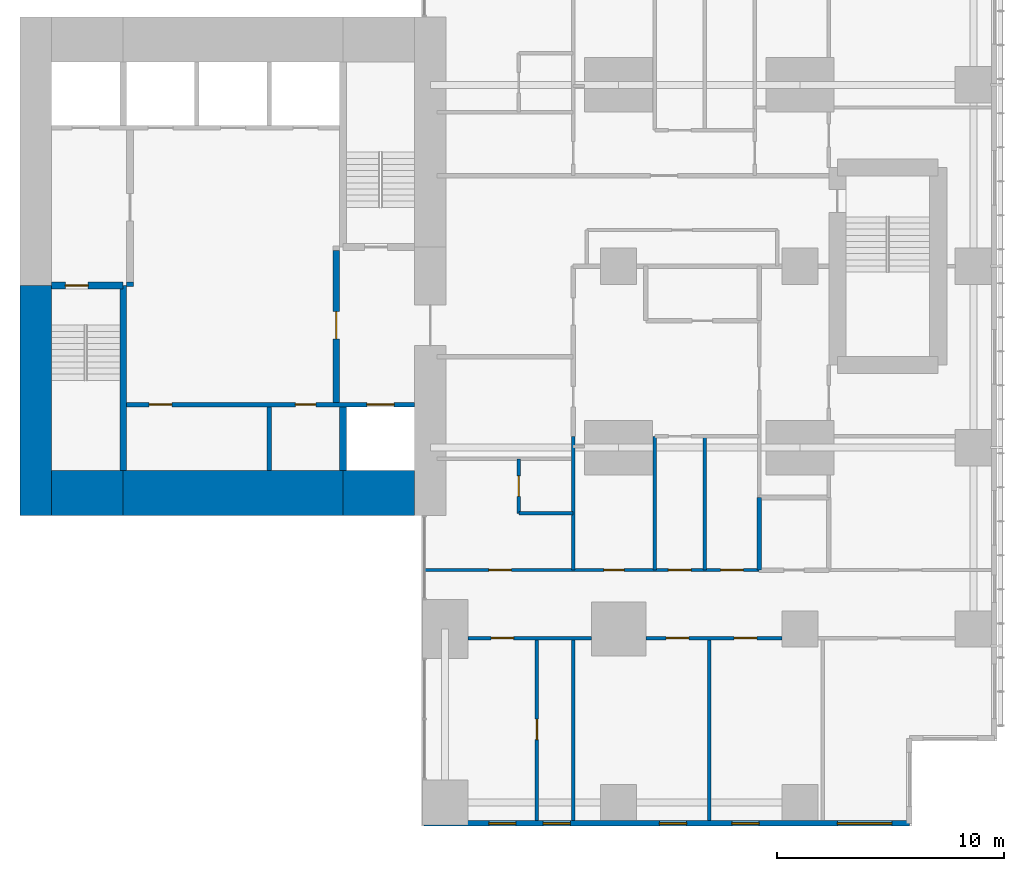
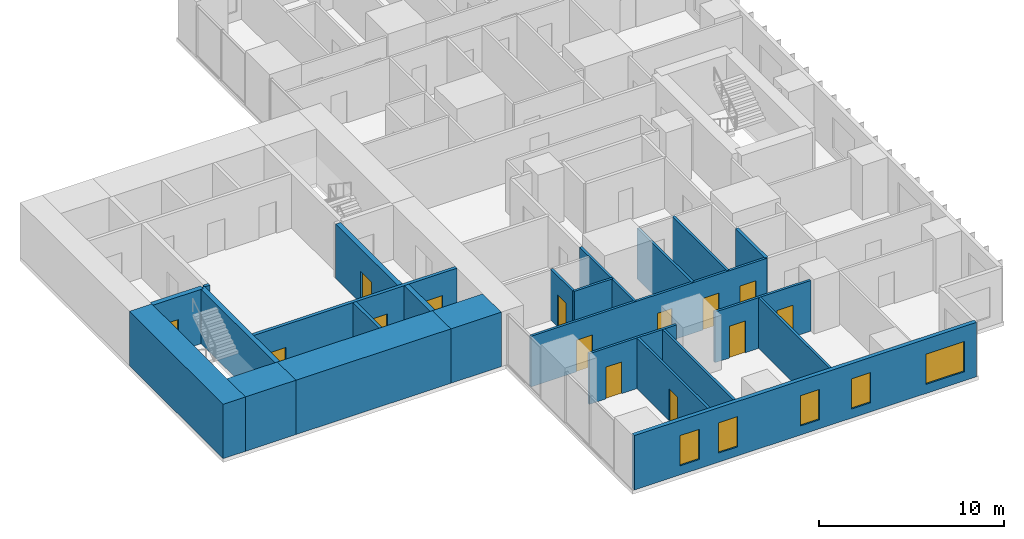
# One storey, part 7 of 12: 24 walls, 14 doors, 5 windows, 19 openings.
"""IFC4 building model written with IfcOpenShell, lengths in metres."""

from ifc_helpers import new_model, si_unit, direction, frame, frame_2d, origin, place, context, subcontext, project, spatial, rectangle, extrude, material, layer, layer_set, type_object, element, fill, save


model = new_model("IFC4")

# Units and contexts
model_context = context("Model", 3, precision=1e-05, world=origin(), true_north=direction((0.0, 1.0)))
body_context = subcontext(model_context, "Body", "Model", "MODEL_VIEW")
ifc_project = project(units=[si_unit("LENGTHUNIT", "METRE"), si_unit("AREAUNIT", "SQUARE_METRE"), si_unit("VOLUMEUNIT", "CUBIC_METRE"), si_unit("PLANEANGLEUNIT", "RADIAN"), si_unit("MASSUNIT", "GRAM", prefix="KILO")], contexts=[model_context])

# Site, building, storey
site_placement = place(None, origin())
site = spatial("IfcSite", under=ifc_project, at=site_placement, CompositionType="ELEMENT")
building_placement = place(site_placement, origin())
building = spatial("IfcBuilding", under=site, at=building_placement, Name="Cleftline Residences", CompositionType="ELEMENT")
storey_placement = place(building_placement, frame((0.0, 0.0, 262.800048828125)))
storey = spatial("IfcBuildingStorey", under=building, at=storey_placement, Name="L69", CompositionType="ELEMENT", Elevation=262.800048828125)

# Walls
ifc_material_1 = material(Name="Concrete B70", Category="concrete")
ifc_layer_1 = layer(ifc_material_1, 1.39990234375)
ifc_layer_set_1 = layer_set([ifc_layer_1], Name="CORE WALL 1400")
wall_type_1 = type_object("IfcWallType", Name="CORE WALL 1400", PredefinedType="SHEAR", material=ifc_layer_set_1)
wall_1_placement = place(storey_placement, frame((24.300048828125, 13.0, 0.0), z_axis=(0.0, 0.0, 1.0), x_axis=(0.0, 1.0, 0.0)))
element("IfcWall", 1, at=wall_1_placement, inside=storey, type_object=wall_type_1, Name="Core wall W0", PredefinedType="SHEAR", context=body_context, shape_type="SweptSolid", body=[
    extrude(rectangle(XDim=10.14990234375, YDim=1.39990234375, at=frame_2d((5.074951171875, 0.0))), origin(), (0.0, 0.0, 1.0), 3.599853515625),
])
ifc_material_2 = material(Name="Concrete B70", Category="concrete")
ifc_layer_2 = layer(ifc_material_2, 2.0)
ifc_layer_set_2 = layer_set([ifc_layer_2], Name="CORE WALL 2000")
wall_type_2 = type_object("IfcWallType", Name="CORE WALL 2000", PredefinedType="SHEAR", material=ifc_layer_set_2)
wall_2_placement = place(storey_placement, frame((25.0, 14.0, 0.0), z_axis=(0.0, 0.0, 1.0), x_axis=(1.0, 0.0, 0.0)))
element("IfcWall", 2, at=wall_2_placement, inside=storey, type_object=wall_type_2, Name="Core wall S1", PredefinedType="SHEAR", context=body_context, shape_type="SweptSolid", body=[
    extrude(rectangle(XDim=3.14990234375, YDim=2.0, at=frame_2d((1.574951171875, 0.0))), origin(), (0.0, 0.0, 1.0), 3.599853515625),
])
wall_3_placement = place(storey_placement, frame((28.14990234375, 14.0, 0.0), z_axis=(0.0, 0.0, 1.0), x_axis=(1.0, 0.0, 0.0)))
element("IfcWall", 3, at=wall_3_placement, inside=storey, type_object=wall_type_2, Name="Core wall S2", PredefinedType="SHEAR", context=body_context, shape_type="SweptSolid", body=[
    extrude(rectangle(XDim=9.7001953125, YDim=2.0, at=frame_2d((4.85009765625, 0.0))), origin(), (0.0, 0.0, 1.0), 3.599853515625),
])
wall_4_placement = place(storey_placement, frame((37.85009765625, 14.0, 0.0), z_axis=(0.0, 0.0, 1.0), x_axis=(1.0, 0.0, 0.0)))
element("IfcWall", 4, at=wall_4_placement, inside=storey, type_object=wall_type_2, Name="Core wall S3", PredefinedType="SHEAR", context=body_context, shape_type="SweptSolid", body=[
    extrude(rectangle(XDim=3.14990234375, YDim=2.0, at=frame_2d((1.574951171875, 0.0))), origin(), (0.0, 0.0, 1.0), 3.599853515625),
])
ifc_material_3 = material(Name="Concrete B70", Category="concrete")
ifc_layer_3 = layer(ifc_material_3, 0.300048828125)
ifc_layer_set_3 = layer_set([ifc_layer_3], Name="CORE WALL 300")
wall_type_3 = type_object("IfcWallType", Name="CORE WALL 300", PredefinedType="SHEAR", material=ifc_layer_set_3)
wall_5_placement = place(storey_placement, frame((28.14990234375, 15.0, 0.0), z_axis=(0.0, 0.0, 1.0), x_axis=(0.0, 1.0, 0.0)))
element("IfcWall", 5, at=wall_5_placement, inside=storey, type_object=wall_type_3, Name="Core wall SA-E", PredefinedType="SHEAR", context=body_context, shape_type="SweptSolid", body=[
    extrude(rectangle(XDim=8.14990234375, YDim=0.300048828125, at=frame_2d((4.074951171875, 0.0))), origin(), (0.0, 0.0, 1.0), 3.599853515625),
])

# Wall, opening, door
wall_6_placement = place(storey_placement, frame((25.0, 23.14990234375, 0.0), z_axis=(0.0, 0.0, 1.0), x_axis=(1.0, 0.0, 0.0)))
wall_6 = element("IfcWall", 6, at=wall_6_placement, inside=storey, type_object=wall_type_3, Name="Core wall SA-N", PredefinedType="SHEAR", context=body_context, shape_type="SweptSolid", body=[
    extrude(rectangle(XDim=3.14990234375, YDim=0.300048828125, at=frame_2d((1.574951171875, 0.0))), origin(), (0.0, 0.0, 1.0), 3.599853515625),
])
opening_1_placement = place(wall_6_placement, frame((0.60009765625, 0.0, 0.0)))
opening_1 = element("IfcOpeningElement", 7, at=opening_1_placement, cuts=wall_6, Name="Opening D5", PredefinedType="OPENING", context=body_context, shape_type="SweptSolid", body=[
    extrude(rectangle(XDim=1.0, YDim=2.10009765625, at=frame_2d((0.5, 1.050048828125))), frame((0.0, 0.159912109375, 0.0), z_axis=(0.0, -1.0, 0.0), x_axis=(1.0, 0.0, 0.0)), (0.0, 0.0, 1.0), 0.320068359375),
])
ifc_material_4 = material(Name="Steel", Category="steel")
door_type_1 = type_object("IfcDoorType", Name="STAIR DOOR 1000X2100", OperationType="SINGLE_SWING_LEFT", PredefinedType="DOOR", material=ifc_material_4)
door_1_placement = place(opening_1_placement, origin())
door_1 = element("IfcDoor", 8, at=door_1_placement, inside=storey, type_object=door_type_1, Name="Stair A door", OperationType="SINGLE_SWING_RIGHT", OverallHeight=2.10009765625, OverallWidth=1.0, PredefinedType="DOOR", context=body_context, shape_type="SweptSolid", body=[
    extrude(rectangle(XDim=1.0, YDim=2.10009765625, at=frame_2d((0.5, 1.050048828125))), frame((0.0, 0.02490234375, 0.0), z_axis=(0.0, -1.0, 0.0), x_axis=(1.0, 0.0, 0.0)), (0.0, 0.0, 1.0), 0.050048828125),
])
fill(opening_1, door_1)

# Wall
wall_7_placement = place(storey_placement, frame((37.85009765625, 15.0, 0.0), z_axis=(0.0, 0.0, 1.0), x_axis=(0.0, 1.0, 0.0)))
element("IfcWall", 9, at=wall_7_placement, inside=storey, type_object=wall_type_3, Name="Lift shaft wall", PredefinedType="SHEAR", context=body_context, shape_type="SweptSolid", body=[
    extrude(rectangle(XDim=2.800048828125, YDim=0.300048828125, at=frame_2d((1.39990234375, 0.0))), origin(), (0.0, 0.0, 1.0), 3.599853515625),
])

# Wall, openings, windows
ifc_material_5 = material(Name="Rendered reinforced concrete blockwork", Category="masonry")
ifc_layer_4 = layer(ifc_material_5, 0.25)
ifc_layer_set_4 = layer_set([ifc_layer_4], Name="EXTERNAL WALL 250")
wall_type_4 = type_object("IfcWallType", Name="EXTERNAL WALL 250", PredefinedType="SOLIDWALL", material=ifc_layer_set_4)
wall_8_placement = place(storey_placement, frame((41.425048828125, -0.574951171875, 0.0), z_axis=(0.0, 0.0, 1.0), x_axis=(1.0, 0.0, 0.0)))
wall_8 = element("IfcWall", 10, at=wall_8_placement, inside=storey, type_object=wall_type_4, Name="External wall", PredefinedType="SOLIDWALL", context=body_context, shape_type="SweptSolid", body=[
    extrude(rectangle(XDim=21.39990234375, YDim=0.25, at=frame_2d((10.699951171875, 0.0))), origin(), (0.0, 0.0, 1.0), 3.599853515625),
])
opening_2_placement = place(wall_8_placement, frame((2.85009765625, 0.0, 0.60009765625)))
opening_2 = element("IfcOpeningElement", 11, at=opening_2_placement, cuts=wall_8, Name="Opening W8", PredefinedType="OPENING", context=body_context, shape_type="SweptSolid", body=[
    extrude(rectangle(XDim=1.199951171875, YDim=2.0, at=frame_2d((0.60009765625, 1.0))), frame((0.0, 0.135009765625, 0.0), z_axis=(0.0, -1.0, 0.0), x_axis=(1.0, 0.0, 0.0)), (0.0, 0.0, 1.0), 0.27001953125),
])
opening_3_placement = place(wall_8_placement, frame((5.25, 0.0, 0.60009765625)))
opening_3 = element("IfcOpeningElement", 12, at=opening_3_placement, cuts=wall_8, Name="Opening W8", PredefinedType="OPENING", context=body_context, shape_type="SweptSolid", body=[
    extrude(rectangle(XDim=1.199951171875, YDim=2.0, at=frame_2d((0.60009765625, 1.0))), frame((0.0, 0.135009765625, 0.0), z_axis=(0.0, -1.0, 0.0), x_axis=(1.0, 0.0, 0.0)), (0.0, 0.0, 1.0), 0.27001953125),
])
opening_4_placement = place(wall_8_placement, frame((10.375, 0.0, 0.60009765625)))
opening_4 = element("IfcOpeningElement", 13, at=opening_4_placement, cuts=wall_8, Name="Opening W8", PredefinedType="OPENING", context=body_context, shape_type="SweptSolid", body=[
    extrude(rectangle(XDim=1.199951171875, YDim=2.0, at=frame_2d((0.60009765625, 1.0))), frame((0.0, 0.135009765625, 0.0), z_axis=(0.0, -1.0, 0.0), x_axis=(1.0, 0.0, 0.0)), (0.0, 0.0, 1.0), 0.27001953125),
])
opening_5_placement = place(wall_8_placement, frame((13.574951171875, 0.0, 0.60009765625)))
opening_5 = element("IfcOpeningElement", 14, at=opening_5_placement, cuts=wall_8, Name="Opening W8", PredefinedType="OPENING", context=body_context, shape_type="SweptSolid", body=[
    extrude(rectangle(XDim=1.199951171875, YDim=2.0, at=frame_2d((0.60009765625, 1.0))), frame((0.0, 0.135009765625, 0.0), z_axis=(0.0, -1.0, 0.0), x_axis=(1.0, 0.0, 0.0)), (0.0, 0.0, 1.0), 0.27001953125),
])
opening_6_placement = place(wall_8_placement, frame((18.22509765625, 0.0, 0.60009765625)))
opening_6 = element("IfcOpeningElement", 15, at=opening_6_placement, cuts=wall_8, Name="Opening W6", PredefinedType="OPENING", context=body_context, shape_type="SweptSolid", body=[
    extrude(rectangle(XDim=2.39990234375, YDim=2.0, at=frame_2d((1.199951171875, 1.0))), frame((0.0, 0.135009765625, 0.0), z_axis=(0.0, -1.0, 0.0), x_axis=(1.0, 0.0, 0.0)), (0.0, 0.0, 1.0), 0.27001953125),
])
ifc_material_6 = material(Name="Aluminium frame, clear double glazing", Category="aluminium")
window_type_1 = type_object("IfcWindowType", Name="WINDOW 1200X2000", PartitioningType="DOUBLE_PANEL_VERTICAL", PredefinedType="WINDOW", material=ifc_material_6)
window_1_placement = place(opening_2_placement, origin())
window_1 = element("IfcWindow", 16, at=window_1_placement, inside=storey, type_object=window_type_1, Name="Window", OverallHeight=2.0, OverallWidth=1.199951171875, PartitioningType="SINGLE_PANEL", PredefinedType="WINDOW", context=body_context, shape_type="SweptSolid", body=[
    extrude(rectangle(XDim=1.199951171875, YDim=2.0, at=frame_2d((0.60009765625, 1.0))), frame((0.0, 0.030029296875, 0.0), z_axis=(0.0, -1.0, 0.0), x_axis=(1.0, 0.0, 0.0)), (0.0, 0.0, 1.0), 0.06005859375),
])
fill(opening_2, window_1)
window_2_placement = place(opening_3_placement, origin())
window_2 = element("IfcWindow", 17, at=window_2_placement, inside=storey, type_object=window_type_1, Name="Window", OverallHeight=2.0, OverallWidth=1.199951171875, PartitioningType="SINGLE_PANEL", PredefinedType="WINDOW", context=body_context, shape_type="SweptSolid", body=[
    extrude(rectangle(XDim=1.199951171875, YDim=2.0, at=frame_2d((0.60009765625, 1.0))), frame((0.0, 0.030029296875, 0.0), z_axis=(0.0, -1.0, 0.0), x_axis=(1.0, 0.0, 0.0)), (0.0, 0.0, 1.0), 0.06005859375),
])
fill(opening_3, window_2)
window_3_placement = place(opening_4_placement, origin())
window_3 = element("IfcWindow", 18, at=window_3_placement, inside=storey, type_object=window_type_1, Name="Window", OverallHeight=2.0, OverallWidth=1.199951171875, PartitioningType="SINGLE_PANEL", PredefinedType="WINDOW", context=body_context, shape_type="SweptSolid", body=[
    extrude(rectangle(XDim=1.199951171875, YDim=2.0, at=frame_2d((0.60009765625, 1.0))), frame((0.0, 0.030029296875, 0.0), z_axis=(0.0, -1.0, 0.0), x_axis=(1.0, 0.0, 0.0)), (0.0, 0.0, 1.0), 0.06005859375),
])
fill(opening_4, window_3)
window_4_placement = place(opening_5_placement, origin())
window_4 = element("IfcWindow", 19, at=window_4_placement, inside=storey, type_object=window_type_1, Name="Window", OverallHeight=2.0, OverallWidth=1.199951171875, PartitioningType="SINGLE_PANEL", PredefinedType="WINDOW", context=body_context, shape_type="SweptSolid", body=[
    extrude(rectangle(XDim=1.199951171875, YDim=2.0, at=frame_2d((0.60009765625, 1.0))), frame((0.0, 0.030029296875, 0.0), z_axis=(0.0, -1.0, 0.0), x_axis=(1.0, 0.0, 0.0)), (0.0, 0.0, 1.0), 0.06005859375),
])
fill(opening_5, window_4)
ifc_material_7 = material(Name="Aluminium frame, clear double glazing", Category="aluminium")
window_type_2 = type_object("IfcWindowType", Name="WINDOW 2400X2000", PartitioningType="DOUBLE_PANEL_VERTICAL", PredefinedType="WINDOW", material=ifc_material_7)
window_5_placement = place(opening_6_placement, origin())
window_5 = element("IfcWindow", 20, at=window_5_placement, inside=storey, type_object=window_type_2, Name="Window", OverallHeight=2.0, OverallWidth=2.39990234375, PartitioningType="SINGLE_PANEL", PredefinedType="WINDOW", context=body_context, shape_type="SweptSolid", body=[
    extrude(rectangle(XDim=2.39990234375, YDim=2.0, at=frame_2d((1.199951171875, 1.0))), frame((0.0, 0.030029296875, 0.0), z_axis=(0.0, -1.0, 0.0), x_axis=(1.0, 0.0, 0.0)), (0.0, 0.0, 1.0), 0.06005859375),
])
fill(opening_6, window_5)

# Walls
ifc_material_8 = material(Name="Concrete blockwork, fire rated", Category="masonry")
ifc_layer_5 = layer(ifc_material_8, 0.199951171875)
ifc_layer_set_5 = layer_set([ifc_layer_5], Name="FIRE WALL 200")
wall_type_5 = type_object("IfcWallType", Name="FIRE WALL 200", PredefinedType="PARTITIONING", material=ifc_layer_set_5)
wall_9_placement = place(storey_placement, frame((56.199951171875, 10.60009765625, 0.0), z_axis=(0.0, 0.0, 1.0), x_axis=(0.0, 1.0, 0.0)))
element("IfcWall", 21, at=wall_9_placement, inside=storey, type_object=wall_type_5, Name="Fire separating wall", PredefinedType="PARTITIONING", context=body_context, shape_type="SweptSolid", body=[
    extrude(rectangle(XDim=3.199951171875, YDim=0.199951171875, at=frame_2d((1.60009765625, 0.0))), origin(), (0.0, 0.0, 1.0), 3.349853515625),
])
wall_10_placement = place(storey_placement, frame((28.300048828125, 23.199951171875, 0.0), z_axis=(0.0, 0.0, 1.0), x_axis=(1.0, 0.0, 0.0)))
element("IfcWall", 22, at=wall_10_placement, inside=storey, type_object=wall_type_5, Name="Fire separating wall", PredefinedType="PARTITIONING", context=body_context, shape_type="SweptSolid", body=[
    extrude(rectangle(XDim=0.300048828125, YDim=0.199951171875, at=frame_2d((0.14990234375, 0.0))), origin(), (0.0, 0.0, 1.0), 3.599853515625),
])

# Wall, opening, door
ifc_material_9 = material(Name="Gypsum board on steel studs", Category="steel")
ifc_layer_6 = layer(ifc_material_9, 0.14990234375)
ifc_layer_set_6 = layer_set([ifc_layer_6], Name="PARTITION 150")
wall_type_6 = type_object("IfcWallType", Name="PARTITION 150", PredefinedType="PARTITIONING", material=ifc_layer_set_6)
wall_11_placement = place(storey_placement, frame((43.35009765625, 7.60009765625, 0.0), z_axis=(0.0, 0.0, 1.0), x_axis=(1.0, 0.0, 0.0)))
wall_11 = element("IfcWall", 23, at=wall_11_placement, inside=storey, type_object=wall_type_6, Name="Partition", PredefinedType="PARTITIONING", context=body_context, shape_type="SweptSolid", body=[
    extrude(rectangle(XDim=5.449951171875, YDim=0.14990234375, at=frame_2d((2.72509765625, 0.0))), origin(), (0.0, 0.0, 1.0), 3.349853515625),
])
opening_7_placement = place(wall_11_placement, frame((1.02490234375, 0.0, 0.0)))
opening_7 = element("IfcOpeningElement", 24, at=opening_7_placement, cuts=wall_11, Name="Opening D2", PredefinedType="OPENING", context=body_context, shape_type="SweptSolid", body=[
    extrude(rectangle(XDim=1.0, YDim=2.10009765625, at=frame_2d((0.5, 1.050048828125))), frame((0.0, 0.0849609375, 0.0), z_axis=(0.0, -1.0, 0.0), x_axis=(1.0, 0.0, 0.0)), (0.0, 0.0, 1.0), 0.169921875),
])
ifc_material_10 = material(Name="Timber veneer on solid core", Category="wood")
door_type_2 = type_object("IfcDoorType", Name="DOOR 1000X2100", OperationType="SINGLE_SWING_LEFT", PredefinedType="DOOR", material=ifc_material_10)
door_2_placement = place(opening_7_placement, origin())
door_2 = element("IfcDoor", 25, at=door_2_placement, inside=storey, type_object=door_type_2, Name="Door to show kitchen", OperationType="SINGLE_SWING_RIGHT", OverallHeight=2.10009765625, OverallWidth=1.0, PredefinedType="DOOR", context=body_context, shape_type="SweptSolid", body=[
    extrude(rectangle(XDim=1.0, YDim=2.10009765625, at=frame_2d((0.5, 1.050048828125))), frame((0.0, 0.02490234375, 0.0), z_axis=(0.0, -1.0, 0.0), x_axis=(1.0, 0.0, 0.0)), (0.0, 0.0, 1.0), 0.050048828125),
])
fill(opening_7, door_2)

# Wall, openings, doors
wall_12_placement = place(storey_placement, frame((51.199951171875, 7.60009765625, 0.0), z_axis=(0.0, 0.0, 1.0), x_axis=(1.0, 0.0, 0.0)))
wall_12 = element("IfcWall", 26, at=wall_12_placement, inside=storey, type_object=wall_type_6, Name="Partition", PredefinedType="PARTITIONING", context=body_context, shape_type="SweptSolid", body=[
    extrude(rectangle(XDim=6.0, YDim=0.14990234375, at=frame_2d((3.0, 0.0))), origin(), (0.0, 0.0, 1.0), 3.349853515625),
])
opening_8_placement = place(wall_12_placement, frame((3.89990234375, 0.0, 0.0)))
opening_8 = element("IfcOpeningElement", 27, at=opening_8_placement, cuts=wall_12, Name="Opening D2", PredefinedType="OPENING", context=body_context, shape_type="SweptSolid", body=[
    extrude(rectangle(XDim=1.0, YDim=2.10009765625, at=frame_2d((0.5, 1.050048828125))), frame((0.0, 0.0849609375, 0.0), z_axis=(0.0, -1.0, 0.0), x_axis=(1.0, 0.0, 0.0)), (0.0, 0.0, 1.0), 0.169921875),
])
opening_9_placement = place(wall_12_placement, frame((0.89990234375, 0.0, 0.0)))
opening_9 = element("IfcOpeningElement", 28, at=opening_9_placement, cuts=wall_12, Name="Opening D2", PredefinedType="OPENING", context=body_context, shape_type="SweptSolid", body=[
    extrude(rectangle(XDim=1.0, YDim=2.10009765625, at=frame_2d((0.5, 1.050048828125))), frame((0.0, 0.0849609375, 0.0), z_axis=(0.0, -1.0, 0.0), x_axis=(1.0, 0.0, 0.0)), (0.0, 0.0, 1.0), 0.169921875),
])
door_3_placement = place(opening_8_placement, origin())
door_3 = element("IfcDoor", 29, at=door_3_placement, inside=storey, type_object=door_type_2, Name="Door to formal living room", OperationType="SINGLE_SWING_LEFT", OverallHeight=2.10009765625, OverallWidth=1.0, PredefinedType="DOOR", context=body_context, shape_type="SweptSolid", body=[
    extrude(rectangle(XDim=1.0, YDim=2.10009765625, at=frame_2d((0.5, 1.050048828125))), frame((0.0, 0.02490234375, 0.0), z_axis=(0.0, -1.0, 0.0), x_axis=(1.0, 0.0, 0.0)), (0.0, 0.0, 1.0), 0.050048828125),
])
fill(opening_8, door_3)
door_4_placement = place(opening_9_placement, origin())
door_4 = element("IfcDoor", 30, at=door_4_placement, inside=storey, type_object=door_type_2, Name="Door to formal dining room", OperationType="SINGLE_SWING_RIGHT", OverallHeight=2.10009765625, OverallWidth=1.0, PredefinedType="DOOR", context=body_context, shape_type="SweptSolid", body=[
    extrude(rectangle(XDim=1.0, YDim=2.10009765625, at=frame_2d((0.5, 1.050048828125))), frame((0.0, 0.02490234375, 0.0), z_axis=(0.0, -1.0, 0.0), x_axis=(1.0, 0.0, 0.0)), (0.0, 0.0, 1.0), 0.050048828125),
])
fill(opening_9, door_4)

wall_13_placement = place(storey_placement, frame((41.43896484375, 10.60009765625, 0.0), z_axis=(0.0, 0.0, 1.0), x_axis=(1.0, 0.0, 0.0)))
wall_13 = element("IfcWall", 31, at=wall_13_placement, inside=storey, type_object=wall_type_6, Name="Partition", PredefinedType="PARTITIONING", context=body_context, shape_type="SweptSolid", body=[
    extrude(rectangle(XDim=14.760986328125, YDim=0.14990234375, at=frame_2d((7.38037109375, 0.0))), origin(), (0.0, 0.0, 1.0), 3.349853515625),
])
opening_10_placement = place(wall_13_placement, frame((10.760986328125, 0.0, 0.0)))
opening_10 = element("IfcOpeningElement", 32, at=opening_10_placement, cuts=wall_13, Name="Opening D2", PredefinedType="OPENING", context=body_context, shape_type="SweptSolid", body=[
    extrude(rectangle(XDim=1.0, YDim=2.10009765625, at=frame_2d((0.5, 1.050048828125))), frame((0.0, 0.0849609375, 0.0), z_axis=(0.0, -1.0, 0.0), x_axis=(1.0, 0.0, 0.0)), (0.0, 0.0, 1.0), 0.169921875),
])
opening_11_placement = place(wall_13_placement, frame((13.06103515625, 0.0, 0.0)))
opening_11 = element("IfcOpeningElement", 33, at=opening_11_placement, cuts=wall_13, Name="Opening D2", PredefinedType="OPENING", context=body_context, shape_type="SweptSolid", body=[
    extrude(rectangle(XDim=1.0, YDim=2.10009765625, at=frame_2d((0.5, 1.050048828125))), frame((0.0, 0.0849609375, 0.0), z_axis=(0.0, -1.0, 0.0), x_axis=(1.0, 0.0, 0.0)), (0.0, 0.0, 1.0), 0.169921875),
])
opening_12_placement = place(wall_13_placement, frame((7.910888671875, 0.0, 0.0)))
opening_12 = element("IfcOpeningElement", 34, at=opening_12_placement, cuts=wall_13, Name="Opening D1", PredefinedType="OPENING", context=body_context, shape_type="SweptSolid", body=[
    extrude(rectangle(XDim=0.89990234375, YDim=2.10009765625, at=frame_2d((0.449951171875, 1.050048828125))), frame((0.0, 0.0849609375, 0.0), z_axis=(0.0, -1.0, 0.0), x_axis=(1.0, 0.0, 0.0)), (0.0, 0.0, 1.0), 0.169921875),
])
opening_13_placement = place(wall_13_placement, frame((2.8359375, 0.0, 0.0)))
opening_13 = element("IfcOpeningElement", 35, at=opening_13_placement, cuts=wall_13, Name="Opening D2", PredefinedType="OPENING", context=body_context, shape_type="SweptSolid", body=[
    extrude(rectangle(XDim=1.0, YDim=2.10009765625, at=frame_2d((0.5, 1.050048828125))), frame((0.0, 0.0849609375, 0.0), z_axis=(0.0, -1.0, 0.0), x_axis=(1.0, 0.0, 0.0)), (0.0, 0.0, 1.0), 0.169921875),
])
door_5_placement = place(opening_10_placement, origin())
door_5 = element("IfcDoor", 36, at=door_5_placement, inside=storey, type_object=door_type_2, Name="Door to residence hall", OperationType="SINGLE_SWING_LEFT", OverallHeight=2.10009765625, OverallWidth=1.0, PredefinedType="DOOR", context=body_context, shape_type="SweptSolid", body=[
    extrude(rectangle(XDim=1.0, YDim=2.10009765625, at=frame_2d((0.5, 1.050048828125))), frame((0.0, 0.02490234375, 0.0), z_axis=(0.0, -1.0, 0.0), x_axis=(1.0, 0.0, 0.0)), (0.0, 0.0, 1.0), 0.050048828125),
])
fill(opening_10, door_5)
door_6_placement = place(opening_11_placement, origin())
door_6 = element("IfcDoor", 37, at=door_6_placement, inside=storey, type_object=door_type_2, Name="Door to wet kitchen", OperationType="SINGLE_SWING_LEFT", OverallHeight=2.10009765625, OverallWidth=1.0, PredefinedType="DOOR", context=body_context, shape_type="SweptSolid", body=[
    extrude(rectangle(XDim=1.0, YDim=2.10009765625, at=frame_2d((0.5, 1.050048828125))), frame((0.0, 0.02490234375, 0.0), z_axis=(0.0, -1.0, 0.0), x_axis=(1.0, 0.0, 0.0)), (0.0, 0.0, 1.0), 0.050048828125),
])
fill(opening_11, door_6)
door_7_placement = place(opening_13_placement, origin())
door_7 = element("IfcDoor", 38, at=door_7_placement, inside=storey, type_object=door_type_2, Name="Door to staff bedroom", OperationType="SINGLE_SWING_RIGHT", OverallHeight=2.10009765625, OverallWidth=1.0, PredefinedType="DOOR", context=body_context, shape_type="SweptSolid", body=[
    extrude(rectangle(XDim=1.0, YDim=2.10009765625, at=frame_2d((0.5, 1.050048828125))), frame((0.0, 0.02490234375, 0.0), z_axis=(0.0, -1.0, 0.0), x_axis=(1.0, 0.0, 0.0)), (0.0, 0.0, 1.0), 0.050048828125),
])
fill(opening_13, door_7)
ifc_material_11 = material(Name="Timber veneer on solid core", Category="wood")
door_type_3 = type_object("IfcDoorType", Name="DOOR 900X2100", OperationType="SINGLE_SWING_LEFT", PredefinedType="DOOR", material=ifc_material_11)
door_8_placement = place(opening_12_placement, origin())
door_8 = element("IfcDoor", 39, at=door_8_placement, inside=storey, type_object=door_type_3, Name="Door to pantry", OperationType="SINGLE_SWING_LEFT", OverallHeight=2.10009765625, OverallWidth=0.89990234375, PredefinedType="DOOR", context=body_context, shape_type="SweptSolid", body=[
    extrude(rectangle(XDim=0.89990234375, YDim=2.10009765625, at=frame_2d((0.449951171875, 1.050048828125))), frame((0.0, 0.02490234375, 0.0), z_axis=(0.0, -1.0, 0.0), x_axis=(1.0, 0.0, 0.0)), (0.0, 0.0, 1.0), 0.050048828125),
])
fill(opening_12, door_8)

# Wall
wall_14_placement = place(storey_placement, frame((45.60009765625, 13.10009765625, 0.0), z_axis=(0.0, 0.0, 1.0), x_axis=(1.0, 0.0, 0.0)))
element("IfcWall", 40, at=wall_14_placement, inside=storey, type_object=wall_type_6, Name="Partition", PredefinedType="PARTITIONING", context=body_context, shape_type="SweptSolid", body=[
    extrude(rectangle(XDim=2.39990234375, YDim=0.14990234375, at=frame_2d((1.199951171875, 0.0))), origin(), (0.0, 0.0, 1.0), 3.349853515625),
])

# Wall, opening, door
wall_15_placement = place(storey_placement, frame((45.60009765625, 13.10009765625, 0.0), z_axis=(0.0, 0.0, 1.0), x_axis=(0.0, 1.0, 0.0)))
wall_15 = element("IfcWall", 41, at=wall_15_placement, inside=storey, type_object=wall_type_6, Name="Partition", PredefinedType="PARTITIONING", context=body_context, shape_type="SweptSolid", body=[
    extrude(rectangle(XDim=2.39990234375, YDim=0.14990234375, at=frame_2d((1.199951171875, 0.0))), origin(), (0.0, 0.0, 1.0), 3.349853515625),
])
opening_14_placement = place(wall_15_placement, frame((0.75, 0.0, 0.0)))
opening_14 = element("IfcOpeningElement", 42, at=opening_14_placement, cuts=wall_15, Name="Opening D1", PredefinedType="OPENING", context=body_context, shape_type="SweptSolid", body=[
    extrude(rectangle(XDim=0.89990234375, YDim=2.10009765625, at=frame_2d((0.449951171875, 1.050048828125))), frame((0.0, 0.0849609375, 0.0), z_axis=(0.0, -1.0, 0.0), x_axis=(1.0, 0.0, 0.0)), (0.0, 0.0, 1.0), 0.169921875),
])
door_9_placement = place(opening_14_placement, origin())
door_9 = element("IfcDoor", 43, at=door_9_placement, inside=storey, type_object=door_type_3, Name="Door to staff shower room", OperationType="SINGLE_SWING_LEFT", OverallHeight=2.10009765625, OverallWidth=0.89990234375, PredefinedType="DOOR", context=body_context, shape_type="SweptSolid", body=[
    extrude(rectangle(XDim=0.89990234375, YDim=2.10009765625, at=frame_2d((0.449951171875, 1.050048828125))), frame((0.0, 0.02490234375, 0.0), z_axis=(0.0, -1.0, 0.0), x_axis=(1.0, 0.0, 0.0)), (0.0, 0.0, 1.0), 0.050048828125),
])
fill(opening_14, door_9)

wall_16_placement = place(storey_placement, frame((46.39990234375, -0.449951171875, 0.0), z_axis=(0.0, 0.0, 1.0), x_axis=(0.0, 1.0, 0.0)))
wall_16 = element("IfcWall", 44, at=wall_16_placement, inside=storey, type_object=wall_type_6, Name="Partition", PredefinedType="PARTITIONING", context=body_context, shape_type="SweptSolid", body=[
    extrude(rectangle(XDim=8.050048828125, YDim=0.14990234375, at=frame_2d((4.02490234375, 0.0))), origin(), (0.0, 0.0, 1.0), 3.349853515625),
])
opening_15_placement = place(wall_16_placement, frame((3.574951171875, 0.0, 0.0)))
opening_15 = element("IfcOpeningElement", 45, at=opening_15_placement, cuts=wall_16, Name="Opening D1", PredefinedType="OPENING", context=body_context, shape_type="SweptSolid", body=[
    extrude(rectangle(XDim=0.89990234375, YDim=2.10009765625, at=frame_2d((0.449951171875, 1.050048828125))), frame((0.0, 0.0849609375, 0.0), z_axis=(0.0, -1.0, 0.0), x_axis=(1.0, 0.0, 0.0)), (0.0, 0.0, 1.0), 0.169921875),
])
door_10_placement = place(opening_15_placement, origin())
door_10 = element("IfcDoor", 46, at=door_10_placement, inside=storey, type_object=door_type_3, Name="Door to larder", OperationType="SINGLE_SWING_LEFT", OverallHeight=2.10009765625, OverallWidth=0.89990234375, PredefinedType="DOOR", context=body_context, shape_type="SweptSolid", body=[
    extrude(rectangle(XDim=0.89990234375, YDim=2.10009765625, at=frame_2d((0.449951171875, 1.050048828125))), frame((0.0, 0.02490234375, 0.0), z_axis=(0.0, -1.0, 0.0), x_axis=(1.0, 0.0, 0.0)), (0.0, 0.0, 1.0), 0.050048828125),
])
fill(opening_15, door_10)

# Walls
wall_17_placement = place(storey_placement, frame((48.0, -0.449951171875, 0.0), z_axis=(0.0, 0.0, 1.0), x_axis=(0.0, 1.0, 0.0)))
element("IfcWall", 47, at=wall_17_placement, inside=storey, type_object=wall_type_6, Name="Partition", PredefinedType="PARTITIONING", context=body_context, shape_type="SweptSolid", body=[
    extrude(rectangle(XDim=8.050048828125, YDim=0.14990234375, at=frame_2d((4.02490234375, 0.0))), origin(), (0.0, 0.0, 1.0), 3.349853515625),
])
for number, where, z_axis, x_axis, name in (
    (48, (48.0, 10.60009765625, 0.0), (0.0, 0.0, 1.0), (0.0, 1.0, 0.0), "Partition"),
    (49, (51.60009765625, 10.60009765625, 0.0), (0.0, 0.0, 1.0), (0.0, 1.0, 0.0), "Partition"),
    (50, (53.800048828125, 10.60009765625, 0.0), (0.0, 0.0, 1.0), (0.0, 1.0, 0.0), "Partition"),
):
    element("IfcWall", number, at=place(storey_placement, frame(where, z_axis=z_axis, x_axis=x_axis)), inside=storey, type_object=wall_type_6, Name=name, PredefinedType="PARTITIONING", context=body_context, shape_type="SweptSolid", body=[
        extrude(rectangle(XDim=5.89990234375, YDim=0.14990234375, at=frame_2d((2.949951171875, 0.0))), origin(), (0.0, 0.0, 1.0), 3.349853515625),
    ])
wall_18_placement = place(storey_placement, frame((54.0, -0.449951171875, 0.0), z_axis=(0.0, 0.0, 1.0), x_axis=(0.0, 1.0, 0.0)))
element("IfcWall", 51, at=wall_18_placement, inside=storey, type_object=wall_type_6, Name="Partition", PredefinedType="PARTITIONING", context=body_context, shape_type="SweptSolid", body=[
    extrude(rectangle(XDim=8.050048828125, YDim=0.14990234375, at=frame_2d((4.02490234375, 0.0))), origin(), (0.0, 0.0, 1.0), 3.349853515625),
])

# Wall, openings, doors
ifc_material_12 = material(Name="Concrete blockwork, fire rated", Category="masonry")
ifc_layer_7 = layer(ifc_material_12, 0.199951171875)
ifc_layer_set_7 = layer_set([ifc_layer_7], Name="SHAFT WALL 200")
wall_type_7 = type_object("IfcWallType", Name="SHAFT WALL 200", PredefinedType="PARTITIONING", material=ifc_layer_set_7)
wall_19_placement = place(storey_placement, frame((28.300048828125, 17.89990234375, 0.0), z_axis=(0.0, 0.0, 1.0), x_axis=(1.0, 0.0, 0.0)))
wall_19 = element("IfcWall", 52, at=wall_19_placement, inside=storey, type_object=wall_type_7, Name="Core room wall", PredefinedType="PARTITIONING", context=body_context, shape_type="SweptSolid", body=[
    extrude(rectangle(XDim=12.699951171875, YDim=0.199951171875, at=frame_2d((6.35009765625, 0.0))), origin(), (0.0, 0.0, 1.0), 3.599853515625),
])
opening_16_placement = place(wall_19_placement, frame((1.0, 0.0, 0.0)))
opening_16 = element("IfcOpeningElement", 53, at=opening_16_placement, cuts=wall_19, Name="Opening D2F60", PredefinedType="OPENING", context=body_context, shape_type="SweptSolid", body=[
    extrude(rectangle(XDim=1.0, YDim=2.10009765625, at=frame_2d((0.5, 1.050048828125))), frame((0.0, 0.10986328125, 0.0), z_axis=(0.0, -1.0, 0.0), x_axis=(1.0, 0.0, 0.0)), (0.0, 0.0, 1.0), 0.219970703125),
])
opening_17_placement = place(wall_19_placement, frame((7.449951171875, 0.0, 0.0)))
opening_17 = element("IfcOpeningElement", 54, at=opening_17_placement, cuts=wall_19, Name="Opening D1F30", PredefinedType="OPENING", context=body_context, shape_type="SweptSolid", body=[
    extrude(rectangle(XDim=0.89990234375, YDim=2.10009765625, at=frame_2d((0.449951171875, 1.050048828125))), frame((0.0, 0.10986328125, 0.0), z_axis=(0.0, -1.0, 0.0), x_axis=(1.0, 0.0, 0.0)), (0.0, 0.0, 1.0), 0.219970703125),
])
opening_18_placement = place(wall_19_placement, frame((10.60009765625, 0.0, 0.0)))
opening_18 = element("IfcOpeningElement", 55, at=opening_18_placement, cuts=wall_19, Name="Opening LD2", PredefinedType="OPENING", context=body_context, shape_type="SweptSolid", body=[
    extrude(rectangle(XDim=1.199951171875, YDim=2.10009765625, at=frame_2d((0.60009765625, 1.050048828125))), frame((0.0, 0.10986328125, 0.0), z_axis=(0.0, -1.0, 0.0), x_axis=(1.0, 0.0, 0.0)), (0.0, 0.0, 1.0), 0.219970703125),
])
ifc_material_13 = material(Name="Timber veneer on solid core", Category="wood")
door_type_4 = type_object("IfcDoorType", Name="DOOR 1000X2100 EI 60", OperationType="SINGLE_SWING_LEFT", PredefinedType="DOOR", material=ifc_material_13)
door_11_placement = place(opening_16_placement, origin())
door_11 = element("IfcDoor", 56, at=door_11_placement, inside=storey, type_object=door_type_4, Name="Door to communications room", OperationType="SINGLE_SWING_RIGHT", OverallHeight=2.10009765625, OverallWidth=1.0, PredefinedType="DOOR", context=body_context, shape_type="SweptSolid", body=[
    extrude(rectangle(XDim=1.0, YDim=2.10009765625, at=frame_2d((0.5, 1.050048828125))), frame((0.0, 0.02490234375, 0.0), z_axis=(0.0, -1.0, 0.0), x_axis=(1.0, 0.0, 0.0)), (0.0, 0.0, 1.0), 0.050048828125),
])
fill(opening_16, door_11)
ifc_material_14 = material(Name="Timber veneer on solid core", Category="wood")
door_type_5 = type_object("IfcDoorType", Name="DOOR 900X2100 EI 30", OperationType="SINGLE_SWING_LEFT", PredefinedType="DOOR", material=ifc_material_14)
door_12_placement = place(opening_17_placement, origin())
door_12 = element("IfcDoor", 57, at=door_12_placement, inside=storey, type_object=door_type_5, Name="Door to cleaner's store", OperationType="SINGLE_SWING_LEFT", OverallHeight=2.10009765625, OverallWidth=0.89990234375, PredefinedType="DOOR", context=body_context, shape_type="SweptSolid", body=[
    extrude(rectangle(XDim=0.89990234375, YDim=2.10009765625, at=frame_2d((0.449951171875, 1.050048828125))), frame((0.0, 0.02490234375, 0.0), z_axis=(0.0, -1.0, 0.0), x_axis=(1.0, 0.0, 0.0)), (0.0, 0.0, 1.0), 0.050048828125),
])
fill(opening_17, door_12)
ifc_material_15 = material(Name="Steel", Category="steel")
door_type_6 = type_object("IfcDoorType", Name="FIREFIGHTING LIFT LANDING DOOR 1200X2100", OperationType="SLIDING_TO_LEFT", PredefinedType="DOOR", material=ifc_material_15)
door_13_placement = place(opening_18_placement, origin())
door_13 = element("IfcDoor", 58, at=door_13_placement, inside=storey, type_object=door_type_6, Name="Lift FL2 landing door", OperationType="SLIDING_TO_LEFT", OverallHeight=2.10009765625, OverallWidth=1.199951171875, PredefinedType="DOOR", context=body_context, shape_type="SweptSolid", body=[
    extrude(rectangle(XDim=1.199951171875, YDim=2.10009765625, at=frame_2d((0.60009765625, 1.050048828125))), frame((0.0, 0.02490234375, 0.0), z_axis=(0.0, -1.0, 0.0), x_axis=(1.0, 0.0, 0.0)), (0.0, 0.0, 1.0), 0.050048828125),
])
fill(opening_18, door_13)

# Wall
wall_20_placement = place(storey_placement, frame((34.60009765625, 15.0, 0.0), z_axis=(0.0, 0.0, 1.0), x_axis=(0.0, 1.0, 0.0)))
element("IfcWall", 59, at=wall_20_placement, inside=storey, type_object=wall_type_7, Name="Core room wall", PredefinedType="PARTITIONING", context=body_context, shape_type="SweptSolid", body=[
    extrude(rectangle(XDim=2.800048828125, YDim=0.199951171875, at=frame_2d((1.39990234375, 0.0))), origin(), (0.0, 0.0, 1.0), 3.599853515625),
])

# Wall, opening, door
ifc_material_16 = material(Name="Concrete blockwork, fire rated", Category="masonry")
ifc_layer_8 = layer(ifc_material_16, 0.300048828125)
ifc_layer_set_8 = layer_set([ifc_layer_8], Name="STAIR LOBBY WALL 300")
wall_type_8 = type_object("IfcWallType", Name="STAIR LOBBY WALL 300", PredefinedType="PARTITIONING", material=ifc_layer_set_8)
wall_21_placement = place(storey_placement, frame((37.550048828125, 18.0, 0.0), z_axis=(0.0, 0.0, 1.0), x_axis=(0.0, 1.0, 0.0)))
wall_21 = element("IfcWall", 60, at=wall_21_placement, inside=storey, type_object=wall_type_8, Name="Stair and lobby wall FB-W", PredefinedType="PARTITIONING", context=body_context, shape_type="SweptSolid", body=[
    extrude(rectangle(XDim=6.699951171875, YDim=0.300048828125, at=frame_2d((3.35009765625, 0.0))), origin(), (0.0, 0.0, 1.0), 3.599853515625),
])
opening_19_placement = place(wall_21_placement, frame((2.800048828125, 0.0, 0.0)))
opening_19 = element("IfcOpeningElement", 61, at=opening_19_placement, cuts=wall_21, Name="Opening D6", PredefinedType="OPENING", context=body_context, shape_type="SweptSolid", body=[
    extrude(rectangle(XDim=1.199951171875, YDim=2.10009765625, at=frame_2d((0.60009765625, 1.050048828125))), frame((0.0, 0.159912109375, 0.0), z_axis=(0.0, -1.0, 0.0), x_axis=(1.0, 0.0, 0.0)), (0.0, 0.0, 1.0), 0.320068359375),
])
ifc_material_17 = material(Name="Steel", Category="steel")
door_type_7 = type_object("IfcDoorType", Name="LOBBY DOOR 1200X2100", OperationType="SINGLE_SWING_RIGHT", PredefinedType="DOOR", material=ifc_material_17)
door_14_placement = place(opening_19_placement, origin())
door_14 = element("IfcDoor", 62, at=door_14_placement, inside=storey, type_object=door_type_7, Name="Firefighting lobby B door", OperationType="SINGLE_SWING_LEFT", OverallHeight=2.10009765625, OverallWidth=1.199951171875, PredefinedType="DOOR", context=body_context, shape_type="SweptSolid", body=[
    extrude(rectangle(XDim=1.199951171875, YDim=2.10009765625, at=frame_2d((0.60009765625, 1.050048828125))), frame((0.0, 0.02490234375, 0.0), z_axis=(0.0, -1.0, 0.0), x_axis=(1.0, 0.0, 0.0)), (0.0, 0.0, 1.0), 0.050048828125),
])
fill(opening_19, door_14)

save(model, "model.ifc")
